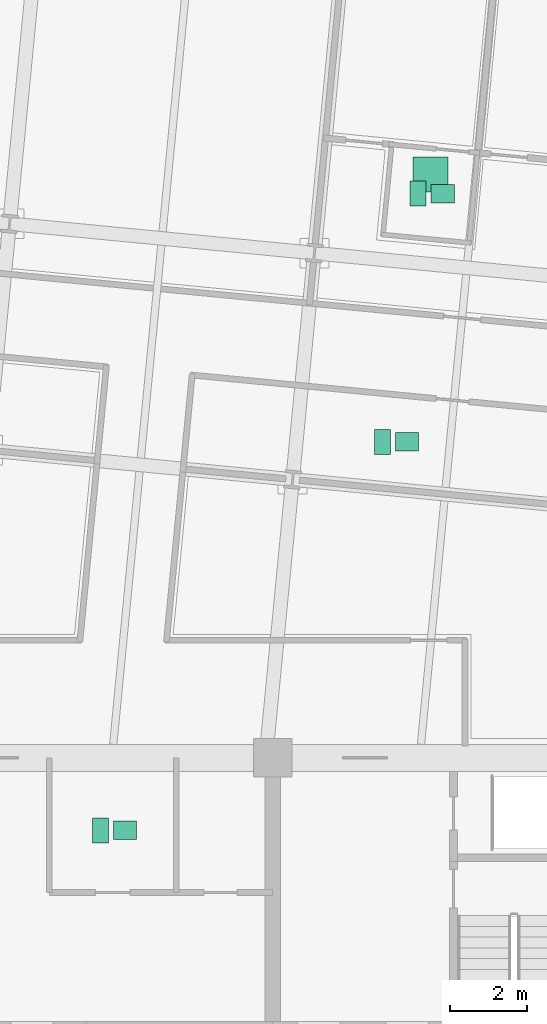
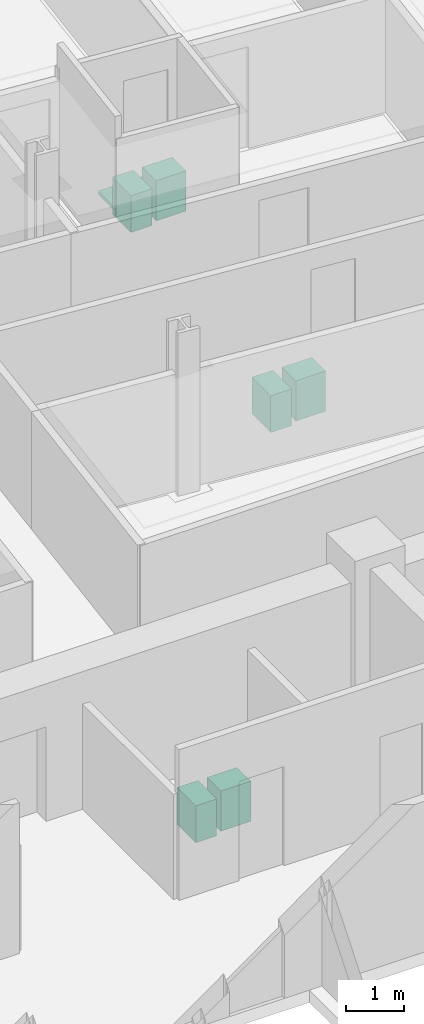
# One storey, part 17 of 17: 7 sanitary terminals.
"""IFC4 building model written with IfcOpenShell, lengths in metres."""

from ifc_helpers import new_model, si_unit, direction, frame, origin, origin_2d, place, context, subcontext, project, spatial, rectangle, extrude, material, type_object, element, save


model = new_model("IFC4")

# Units and contexts
model_context = context("Model", 3, precision=1e-05, world=origin(), true_north=direction((0.0, 1.0)))
body_context = subcontext(model_context, "Body", "Model", "MODEL_VIEW")
ifc_project = project(units=[si_unit("LENGTHUNIT", "METRE"), si_unit("AREAUNIT", "SQUARE_METRE"), si_unit("VOLUMEUNIT", "CUBIC_METRE"), si_unit("PLANEANGLEUNIT", "RADIAN"), si_unit("MASSUNIT", "GRAM", prefix="KILO")], contexts=[model_context])

# Site, building, storey
site_placement = place(None, origin())
site = spatial("IfcSite", under=ifc_project, at=site_placement, CompositionType="ELEMENT")
building_placement = place(site_placement, origin())
building = spatial("IfcBuilding", under=site, at=building_placement, Name="Solmavex Isthmus Hotel", CompositionType="ELEMENT")
storey_placement = place(building_placement, frame((0.0, 0.0, 163.5)))
storey = spatial("IfcBuildingStorey", under=building, at=storey_placement, Name="L44", CompositionType="ELEMENT", Elevation=163.5)

# Sanitary terminals
ifc_material = material(Name="Vitreous china ceramic", Category="ceramic")
sanitary_terminal_type_1 = type_object("IfcSanitaryTerminalType", Name="SAN-BASIN", PredefinedType="WASHHANDBASIN", material=ifc_material)
for number, where, z_axis, x_axis, name in (
    (1, (3.570068359375, -4.385009765625, 0.0), (0.0, 0.0, 1.0), (1.0, 0.0, 0.0), "Vanity Washbasin L44-206"),
    (2, (11.82177734375, 12.151611328125, 0.0), (0.0, 0.0, 1.0), (1.0, 0.0, 0.0), "Vanity Washbasin L44-207"),
    (3, (10.895263671875, 5.702880859375, 0.0), (0.0, 0.0, 1.0), (1.0, 0.0, 0.0), "Vanity Washbasin L44-208"),
):
    element("IfcSanitaryTerminal", number, at=place(storey_placement, frame(where, z_axis=z_axis, x_axis=x_axis)), inside=storey, type_object=sanitary_terminal_type_1, Name=name, PredefinedType="WASHHANDBASIN", context=body_context, shape_type="SweptSolid", body=[
        extrude(rectangle(XDim=0.60009765625, YDim=0.47998046875, at=origin_2d()), origin(), (0.0, 0.0, 1.0), 0.85009765625),
    ])
sanitary_terminal_type_2 = type_object("IfcSanitaryTerminalType", Name="SAN-SHOWER", PredefinedType="SHOWER", material=ifc_material)
sanitary_terminal_placement = place(storey_placement, frame((11.501708984375, 12.651611328125, 0.0), z_axis=(0.0, 0.0, 1.0), x_axis=(1.0, 0.0, 0.0)))
element("IfcSanitaryTerminal", 4, at=sanitary_terminal_placement, inside=storey, type_object=sanitary_terminal_type_2, Name="Walk-In Shower L44-207", PredefinedType="SHOWER", context=body_context, shape_type="SweptSolid", body=[
    extrude(rectangle(XDim=0.89990234375, YDim=0.89990234375, at=origin_2d()), origin(), (0.0, 0.0, 1.0), 0.080078125),
])
sanitary_terminal_type_3 = type_object("IfcSanitaryTerminalType", Name="SAN-WC-SUITE", PredefinedType="TOILETPAN", material=ifc_material)
for number, where, z_axis, x_axis, name in (
    (5, (2.929931640625, -4.385009765625, 0.0), (0.0, 0.0, 1.0), (1.0, 0.0, 0.0), "Water Closet L44-206"),
    (6, (11.181640625, 12.151611328125, 0.0), (0.0, 0.0, 1.0), (1.0, 0.0, 0.0), "Water Closet L44-207"),
    (7, (10.25537109375, 5.702880859375, 0.0), (0.0, 0.0, 1.0), (1.0, 0.0, 0.0), "Water Closet L44-208"),
):
    element("IfcSanitaryTerminal", number, at=place(storey_placement, frame(where, z_axis=z_axis, x_axis=x_axis)), inside=storey, type_object=sanitary_terminal_type_3, Name=name, PredefinedType="TOILETPAN", context=body_context, shape_type="SweptSolid", body=[
        extrude(rectangle(XDim=0.419921875, YDim=0.64990234375, at=origin_2d()), origin(), (0.0, 0.0, 1.0), 0.780029296875),
    ])

save(model, "model.ifc")
